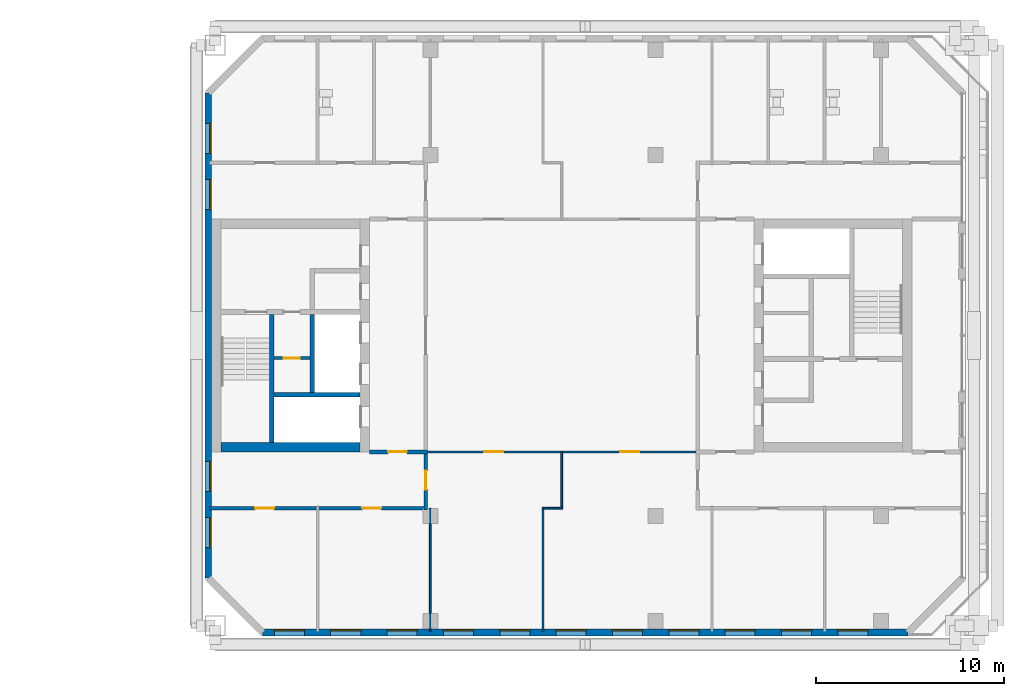
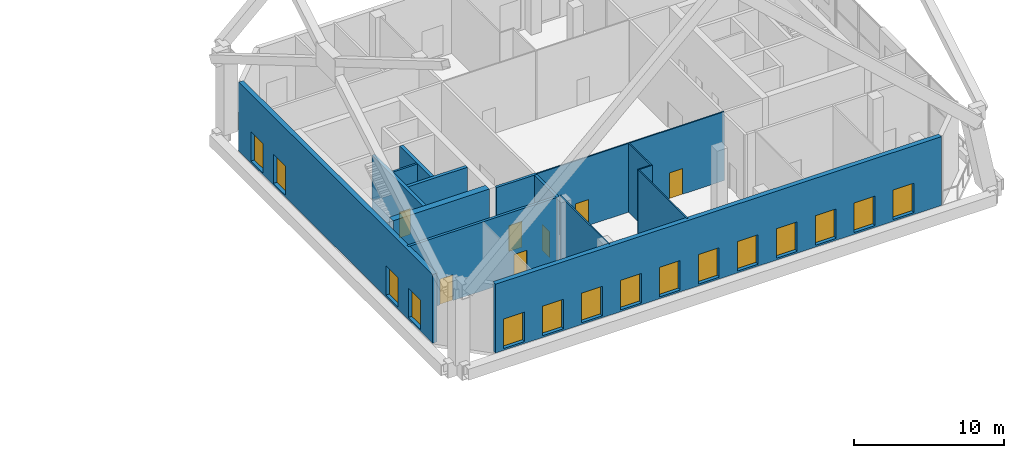
# One storey, part 13 of 20: 15 walls, 15 windows, 7 doors, 22 openings.
"""IFC4 building model written with IfcOpenShell, lengths in metres."""

from ifc_helpers import new_model, si_unit, direction, frame, frame_2d, origin, place, context, subcontext, project, spatial, rectangle, extrude, material, layer, layer_set, type_object, element, fill, save


model = new_model("IFC4")

# Units and contexts
model_context = context("Model", 3, precision=1e-05, world=origin(), true_north=direction((0.0, 1.0)))
body_context = subcontext(model_context, "Body", "Model", "MODEL_VIEW")
ifc_project = project(units=[si_unit("LENGTHUNIT", "METRE"), si_unit("AREAUNIT", "SQUARE_METRE"), si_unit("VOLUMEUNIT", "CUBIC_METRE"), si_unit("PLANEANGLEUNIT", "RADIAN"), si_unit("MASSUNIT", "GRAM", prefix="KILO")], contexts=[model_context])

# Site, building, storey
site_placement = place(None, origin())
site = spatial("IfcSite", under=ifc_project, at=site_placement, CompositionType="ELEMENT")
building_placement = place(site_placement, origin())
building = spatial("IfcBuilding", under=site, at=building_placement, Name="Tuart Gate Housing", CompositionType="ELEMENT")
storey_placement = place(building_placement, frame((0.0, 0.0, 142.300048828125)))
storey = spatial("IfcBuildingStorey", under=building, at=storey_placement, Name="L40", CompositionType="ELEMENT", Elevation=142.300048828125)

# Wall, openings, windows
ifc_material_1 = material(Name="Brick", Category="masonry")
ifc_layer_1 = layer(ifc_material_1, 0.360107421875)
ifc_layer_set_1 = layer_set([ifc_layer_1], Name="Brick pier and spandrel wall 360")
wall_type_1 = type_object("IfcWallType", Name="Brick pier and spandrel wall 360", PredefinedType="STANDARD", material=ifc_layer_set_1)
wall_1_placement = place(storey_placement, frame((134.07470703125, 54.179931640625, 0.0), z_axis=(0.0, 0.0, 1.0), x_axis=(1.0, 0.0, 0.0)))
wall_1 = element("IfcWall", 1, at=wall_1_placement, inside=storey, type_object=wall_type_1, Name="External wall B-S L40", PredefinedType="STANDARD", context=body_context, shape_type="SweptSolid", body=[
    extrude(rectangle(XDim=34.350830078125, YDim=0.360107421875, at=frame_2d((17.17529296875, 0.0))), origin(), (0.0, 0.0, 1.0), 5.599853515625),
])
opening_1_placement = place(wall_1_placement, frame((0.62548828125, 0.0, 0.14990234375)))
opening_1 = element("IfcOpeningElement", 2, at=opening_1_placement, cuts=wall_1, Name="Opening W2", PredefinedType="OPENING", context=body_context, shape_type="SweptSolid", body=[
    extrude(rectangle(XDim=1.60009765625, YDim=2.39990234375, at=frame_2d((0.800048828125, 1.199951171875))), frame((0.0, 0.18994140625, 0.0), z_axis=(0.0, -1.0, 0.0), x_axis=(1.0, 0.0, 0.0)), (0.0, 0.0, 1.0), 0.380126953125),
])
opening_2_placement = place(wall_1_placement, frame((3.62548828125, 0.0, 0.14990234375)))
opening_2 = element("IfcOpeningElement", 3, at=opening_2_placement, cuts=wall_1, Name="Opening W2", PredefinedType="OPENING", context=body_context, shape_type="SweptSolid", body=[
    extrude(rectangle(XDim=1.60009765625, YDim=2.39990234375, at=frame_2d((0.800048828125, 1.199951171875))), frame((0.0, 0.18994140625, 0.0), z_axis=(0.0, -1.0, 0.0), x_axis=(1.0, 0.0, 0.0)), (0.0, 0.0, 1.0), 0.380126953125),
])
opening_3_placement = place(wall_1_placement, frame((6.62548828125, 0.0, 0.14990234375)))
opening_3 = element("IfcOpeningElement", 4, at=opening_3_placement, cuts=wall_1, Name="Opening W2", PredefinedType="OPENING", context=body_context, shape_type="SweptSolid", body=[
    extrude(rectangle(XDim=1.60009765625, YDim=2.39990234375, at=frame_2d((0.800048828125, 1.199951171875))), frame((0.0, 0.18994140625, 0.0), z_axis=(0.0, -1.0, 0.0), x_axis=(1.0, 0.0, 0.0)), (0.0, 0.0, 1.0), 0.380126953125),
])
opening_4_placement = place(wall_1_placement, frame((9.62548828125, 0.0, 0.14990234375)))
opening_4 = element("IfcOpeningElement", 5, at=opening_4_placement, cuts=wall_1, Name="Opening W2", PredefinedType="OPENING", context=body_context, shape_type="SweptSolid", body=[
    extrude(rectangle(XDim=1.60009765625, YDim=2.39990234375, at=frame_2d((0.800048828125, 1.199951171875))), frame((0.0, 0.18994140625, 0.0), z_axis=(0.0, -1.0, 0.0), x_axis=(1.0, 0.0, 0.0)), (0.0, 0.0, 1.0), 0.380126953125),
])
opening_5_placement = place(wall_1_placement, frame((12.62548828125, 0.0, 0.14990234375)))
opening_5 = element("IfcOpeningElement", 6, at=opening_5_placement, cuts=wall_1, Name="Opening W2", PredefinedType="OPENING", context=body_context, shape_type="SweptSolid", body=[
    extrude(rectangle(XDim=1.60009765625, YDim=2.39990234375, at=frame_2d((0.800048828125, 1.199951171875))), frame((0.0, 0.18994140625, 0.0), z_axis=(0.0, -1.0, 0.0), x_axis=(1.0, 0.0, 0.0)), (0.0, 0.0, 1.0), 0.380126953125),
])
opening_6_placement = place(wall_1_placement, frame((15.62548828125, 0.0, 0.14990234375)))
opening_6 = element("IfcOpeningElement", 7, at=opening_6_placement, cuts=wall_1, Name="Opening W2", PredefinedType="OPENING", context=body_context, shape_type="SweptSolid", body=[
    extrude(rectangle(XDim=1.60009765625, YDim=2.39990234375, at=frame_2d((0.800048828125, 1.199951171875))), frame((0.0, 0.18994140625, 0.0), z_axis=(0.0, -1.0, 0.0), x_axis=(1.0, 0.0, 0.0)), (0.0, 0.0, 1.0), 0.380126953125),
])
opening_7_placement = place(wall_1_placement, frame((18.62548828125, 0.0, 0.14990234375)))
opening_7 = element("IfcOpeningElement", 8, at=opening_7_placement, cuts=wall_1, Name="Opening W2", PredefinedType="OPENING", context=body_context, shape_type="SweptSolid", body=[
    extrude(rectangle(XDim=1.60009765625, YDim=2.39990234375, at=frame_2d((0.800048828125, 1.199951171875))), frame((0.0, 0.18994140625, 0.0), z_axis=(0.0, -1.0, 0.0), x_axis=(1.0, 0.0, 0.0)), (0.0, 0.0, 1.0), 0.380126953125),
])
opening_8_placement = place(wall_1_placement, frame((21.62548828125, 0.0, 0.14990234375)))
opening_8 = element("IfcOpeningElement", 9, at=opening_8_placement, cuts=wall_1, Name="Opening W2", PredefinedType="OPENING", context=body_context, shape_type="SweptSolid", body=[
    extrude(rectangle(XDim=1.60009765625, YDim=2.39990234375, at=frame_2d((0.800048828125, 1.199951171875))), frame((0.0, 0.18994140625, 0.0), z_axis=(0.0, -1.0, 0.0), x_axis=(1.0, 0.0, 0.0)), (0.0, 0.0, 1.0), 0.380126953125),
])
opening_9_placement = place(wall_1_placement, frame((24.62548828125, 0.0, 0.14990234375)))
opening_9 = element("IfcOpeningElement", 10, at=opening_9_placement, cuts=wall_1, Name="Opening W2", PredefinedType="OPENING", context=body_context, shape_type="SweptSolid", body=[
    extrude(rectangle(XDim=1.60009765625, YDim=2.39990234375, at=frame_2d((0.800048828125, 1.199951171875))), frame((0.0, 0.18994140625, 0.0), z_axis=(0.0, -1.0, 0.0), x_axis=(1.0, 0.0, 0.0)), (0.0, 0.0, 1.0), 0.380126953125),
])
opening_10_placement = place(wall_1_placement, frame((27.62548828125, 0.0, 0.14990234375)))
opening_10 = element("IfcOpeningElement", 11, at=opening_10_placement, cuts=wall_1, Name="Opening W2", PredefinedType="OPENING", context=body_context, shape_type="SweptSolid", body=[
    extrude(rectangle(XDim=1.60009765625, YDim=2.39990234375, at=frame_2d((0.800048828125, 1.199951171875))), frame((0.0, 0.18994140625, 0.0), z_axis=(0.0, -1.0, 0.0), x_axis=(1.0, 0.0, 0.0)), (0.0, 0.0, 1.0), 0.380126953125),
])
opening_11_placement = place(wall_1_placement, frame((30.62548828125, 0.0, 0.14990234375)))
opening_11 = element("IfcOpeningElement", 12, at=opening_11_placement, cuts=wall_1, Name="Opening W2", PredefinedType="OPENING", context=body_context, shape_type="SweptSolid", body=[
    extrude(rectangle(XDim=1.60009765625, YDim=2.39990234375, at=frame_2d((0.800048828125, 1.199951171875))), frame((0.0, 0.18994140625, 0.0), z_axis=(0.0, -1.0, 0.0), x_axis=(1.0, 0.0, 0.0)), (0.0, 0.0, 1.0), 0.380126953125),
])
ifc_material_2 = material(Name="Aluminium frame with clear glass", Category="aluminium")
window_type = type_object("IfcWindowType", Name="Garden lounge window 1600 x 2400", PartitioningType="SINGLE_PANEL", PredefinedType="WINDOW", material=ifc_material_2)
window_1_placement = place(opening_1_placement, origin())
window_1 = element("IfcWindow", 13, at=window_1_placement, inside=storey, type_object=window_type, Name="Window W2", OverallHeight=2.39990234375, OverallWidth=1.60009765625, PartitioningType="SINGLE_PANEL", PredefinedType="WINDOW", context=body_context, shape_type="SweptSolid", body=[
    extrude(rectangle(XDim=1.60009765625, YDim=2.39990234375, at=frame_2d((0.800048828125, 1.199951171875))), frame((0.0, 0.150146484375, 0.0), z_axis=(0.0, -1.0, 0.0), x_axis=(1.0, 0.0, 0.0)), (0.0, 0.0, 1.0), 0.06005859375),
])
fill(opening_1, window_1)
window_2_placement = place(opening_2_placement, origin())
window_2 = element("IfcWindow", 14, at=window_2_placement, inside=storey, type_object=window_type, Name="Window W2", OverallHeight=2.39990234375, OverallWidth=1.60009765625, PartitioningType="SINGLE_PANEL", PredefinedType="WINDOW", context=body_context, shape_type="SweptSolid", body=[
    extrude(rectangle(XDim=1.60009765625, YDim=2.39990234375, at=frame_2d((0.800048828125, 1.199951171875))), frame((0.0, 0.150146484375, 0.0), z_axis=(0.0, -1.0, 0.0), x_axis=(1.0, 0.0, 0.0)), (0.0, 0.0, 1.0), 0.06005859375),
])
fill(opening_2, window_2)
window_3_placement = place(opening_3_placement, origin())
window_3 = element("IfcWindow", 15, at=window_3_placement, inside=storey, type_object=window_type, Name="Window W2", OverallHeight=2.39990234375, OverallWidth=1.60009765625, PartitioningType="SINGLE_PANEL", PredefinedType="WINDOW", context=body_context, shape_type="SweptSolid", body=[
    extrude(rectangle(XDim=1.60009765625, YDim=2.39990234375, at=frame_2d((0.800048828125, 1.199951171875))), frame((0.0, 0.150146484375, 0.0), z_axis=(0.0, -1.0, 0.0), x_axis=(1.0, 0.0, 0.0)), (0.0, 0.0, 1.0), 0.06005859375),
])
fill(opening_3, window_3)
window_4_placement = place(opening_4_placement, origin())
window_4 = element("IfcWindow", 16, at=window_4_placement, inside=storey, type_object=window_type, Name="Window W2", OverallHeight=2.39990234375, OverallWidth=1.60009765625, PartitioningType="SINGLE_PANEL", PredefinedType="WINDOW", context=body_context, shape_type="SweptSolid", body=[
    extrude(rectangle(XDim=1.60009765625, YDim=2.39990234375, at=frame_2d((0.800048828125, 1.199951171875))), frame((0.0, 0.150146484375, 0.0), z_axis=(0.0, -1.0, 0.0), x_axis=(1.0, 0.0, 0.0)), (0.0, 0.0, 1.0), 0.06005859375),
])
fill(opening_4, window_4)
window_5_placement = place(opening_5_placement, origin())
window_5 = element("IfcWindow", 17, at=window_5_placement, inside=storey, type_object=window_type, Name="Window W2", OverallHeight=2.39990234375, OverallWidth=1.60009765625, PartitioningType="SINGLE_PANEL", PredefinedType="WINDOW", context=body_context, shape_type="SweptSolid", body=[
    extrude(rectangle(XDim=1.60009765625, YDim=2.39990234375, at=frame_2d((0.800048828125, 1.199951171875))), frame((0.0, 0.150146484375, 0.0), z_axis=(0.0, -1.0, 0.0), x_axis=(1.0, 0.0, 0.0)), (0.0, 0.0, 1.0), 0.06005859375),
])
fill(opening_5, window_5)
window_6_placement = place(opening_6_placement, origin())
window_6 = element("IfcWindow", 18, at=window_6_placement, inside=storey, type_object=window_type, Name="Window W2", OverallHeight=2.39990234375, OverallWidth=1.60009765625, PartitioningType="SINGLE_PANEL", PredefinedType="WINDOW", context=body_context, shape_type="SweptSolid", body=[
    extrude(rectangle(XDim=1.60009765625, YDim=2.39990234375, at=frame_2d((0.800048828125, 1.199951171875))), frame((0.0, 0.150146484375, 0.0), z_axis=(0.0, -1.0, 0.0), x_axis=(1.0, 0.0, 0.0)), (0.0, 0.0, 1.0), 0.06005859375),
])
fill(opening_6, window_6)
window_7_placement = place(opening_7_placement, origin())
window_7 = element("IfcWindow", 19, at=window_7_placement, inside=storey, type_object=window_type, Name="Window W2", OverallHeight=2.39990234375, OverallWidth=1.60009765625, PartitioningType="SINGLE_PANEL", PredefinedType="WINDOW", context=body_context, shape_type="SweptSolid", body=[
    extrude(rectangle(XDim=1.60009765625, YDim=2.39990234375, at=frame_2d((0.800048828125, 1.199951171875))), frame((0.0, 0.150146484375, 0.0), z_axis=(0.0, -1.0, 0.0), x_axis=(1.0, 0.0, 0.0)), (0.0, 0.0, 1.0), 0.06005859375),
])
fill(opening_7, window_7)
window_8_placement = place(opening_8_placement, origin())
window_8 = element("IfcWindow", 20, at=window_8_placement, inside=storey, type_object=window_type, Name="Window W2", OverallHeight=2.39990234375, OverallWidth=1.60009765625, PartitioningType="SINGLE_PANEL", PredefinedType="WINDOW", context=body_context, shape_type="SweptSolid", body=[
    extrude(rectangle(XDim=1.60009765625, YDim=2.39990234375, at=frame_2d((0.800048828125, 1.199951171875))), frame((0.0, 0.150146484375, 0.0), z_axis=(0.0, -1.0, 0.0), x_axis=(1.0, 0.0, 0.0)), (0.0, 0.0, 1.0), 0.06005859375),
])
fill(opening_8, window_8)
window_9_placement = place(opening_9_placement, origin())
window_9 = element("IfcWindow", 21, at=window_9_placement, inside=storey, type_object=window_type, Name="Window W2", OverallHeight=2.39990234375, OverallWidth=1.60009765625, PartitioningType="SINGLE_PANEL", PredefinedType="WINDOW", context=body_context, shape_type="SweptSolid", body=[
    extrude(rectangle(XDim=1.60009765625, YDim=2.39990234375, at=frame_2d((0.800048828125, 1.199951171875))), frame((0.0, 0.150146484375, 0.0), z_axis=(0.0, -1.0, 0.0), x_axis=(1.0, 0.0, 0.0)), (0.0, 0.0, 1.0), 0.06005859375),
])
fill(opening_9, window_9)
window_10_placement = place(opening_10_placement, origin())
window_10 = element("IfcWindow", 22, at=window_10_placement, inside=storey, type_object=window_type, Name="Window W2", OverallHeight=2.39990234375, OverallWidth=1.60009765625, PartitioningType="SINGLE_PANEL", PredefinedType="WINDOW", context=body_context, shape_type="SweptSolid", body=[
    extrude(rectangle(XDim=1.60009765625, YDim=2.39990234375, at=frame_2d((0.800048828125, 1.199951171875))), frame((0.0, 0.150146484375, 0.0), z_axis=(0.0, -1.0, 0.0), x_axis=(1.0, 0.0, 0.0)), (0.0, 0.0, 1.0), 0.06005859375),
])
fill(opening_10, window_10)
window_11_placement = place(opening_11_placement, origin())
window_11 = element("IfcWindow", 23, at=window_11_placement, inside=storey, type_object=window_type, Name="Window W2", OverallHeight=2.39990234375, OverallWidth=1.60009765625, PartitioningType="SINGLE_PANEL", PredefinedType="WINDOW", context=body_context, shape_type="SweptSolid", body=[
    extrude(rectangle(XDim=1.60009765625, YDim=2.39990234375, at=frame_2d((0.800048828125, 1.199951171875))), frame((0.0, 0.150146484375, 0.0), z_axis=(0.0, -1.0, 0.0), x_axis=(1.0, 0.0, 0.0)), (0.0, 0.0, 1.0), 0.06005859375),
])
fill(opening_11, window_11)

wall_2_placement = place(storey_placement, frame((131.179931640625, 82.92529296875, 0.0), z_axis=(0.0, 0.0, 1.0), x_axis=(0.0, -1.0, 0.0)))
wall_2 = element("IfcWall", 24, at=wall_2_placement, inside=storey, type_object=wall_type_1, Name="External wall B-W L40", PredefinedType="STANDARD", context=body_context, shape_type="SweptSolid", body=[
    extrude(rectangle(XDim=25.850830078125, YDim=0.360107421875, at=frame_2d((12.92529296875, 0.0))), origin(), (0.0, 0.0, 1.0), 5.599853515625),
])
opening_12_placement = place(wall_2_placement, frame((1.62548828125, 0.0, 0.14990234375)))
opening_12 = element("IfcOpeningElement", 25, at=opening_12_placement, cuts=wall_2, Name="Opening W2", PredefinedType="OPENING", context=body_context, shape_type="SweptSolid", body=[
    extrude(rectangle(XDim=1.60009765625, YDim=2.39990234375, at=frame_2d((0.800048828125, 1.199951171875))), frame((0.0, 0.18994140625, 0.0), z_axis=(0.0, -1.0, 0.0), x_axis=(1.0, 0.0, 0.0)), (0.0, 0.0, 1.0), 0.380126953125),
])
opening_13_placement = place(wall_2_placement, frame((4.62548828125, 0.0, 0.14990234375)))
opening_13 = element("IfcOpeningElement", 26, at=opening_13_placement, cuts=wall_2, Name="Opening W2", PredefinedType="OPENING", context=body_context, shape_type="SweptSolid", body=[
    extrude(rectangle(XDim=1.60009765625, YDim=2.39990234375, at=frame_2d((0.800048828125, 1.199951171875))), frame((0.0, 0.18994140625, 0.0), z_axis=(0.0, -1.0, 0.0), x_axis=(1.0, 0.0, 0.0)), (0.0, 0.0, 1.0), 0.380126953125),
])
opening_14_placement = place(wall_2_placement, frame((19.62548828125, 0.0, 0.14990234375)))
opening_14 = element("IfcOpeningElement", 27, at=opening_14_placement, cuts=wall_2, Name="Opening W2", PredefinedType="OPENING", context=body_context, shape_type="SweptSolid", body=[
    extrude(rectangle(XDim=1.60009765625, YDim=2.39990234375, at=frame_2d((0.800048828125, 1.199951171875))), frame((0.0, 0.18994140625, 0.0), z_axis=(0.0, -1.0, 0.0), x_axis=(1.0, 0.0, 0.0)), (0.0, 0.0, 1.0), 0.380126953125),
])
opening_15_placement = place(wall_2_placement, frame((22.62548828125, 0.0, 0.14990234375)))
opening_15 = element("IfcOpeningElement", 28, at=opening_15_placement, cuts=wall_2, Name="Opening W2", PredefinedType="OPENING", context=body_context, shape_type="SweptSolid", body=[
    extrude(rectangle(XDim=1.60009765625, YDim=2.39990234375, at=frame_2d((0.800048828125, 1.199951171875))), frame((0.0, 0.18994140625, 0.0), z_axis=(0.0, -1.0, 0.0), x_axis=(1.0, 0.0, 0.0)), (0.0, 0.0, 1.0), 0.380126953125),
])
window_12_placement = place(opening_12_placement, origin())
window_12 = element("IfcWindow", 29, at=window_12_placement, inside=storey, type_object=window_type, Name="Window W2", OverallHeight=2.39990234375, OverallWidth=1.60009765625, PartitioningType="SINGLE_PANEL", PredefinedType="WINDOW", context=body_context, shape_type="SweptSolid", body=[
    extrude(rectangle(XDim=1.60009765625, YDim=2.39990234375, at=frame_2d((0.800048828125, 1.199951171875))), frame((0.0, 0.150146484375, 0.0), z_axis=(0.0, -1.0, 0.0), x_axis=(1.0, 0.0, 0.0)), (0.0, 0.0, 1.0), 0.06005859375),
])
fill(opening_12, window_12)
window_13_placement = place(opening_13_placement, origin())
window_13 = element("IfcWindow", 30, at=window_13_placement, inside=storey, type_object=window_type, Name="Window W2", OverallHeight=2.39990234375, OverallWidth=1.60009765625, PartitioningType="SINGLE_PANEL", PredefinedType="WINDOW", context=body_context, shape_type="SweptSolid", body=[
    extrude(rectangle(XDim=1.60009765625, YDim=2.39990234375, at=frame_2d((0.800048828125, 1.199951171875))), frame((0.0, 0.150146484375, 0.0), z_axis=(0.0, -1.0, 0.0), x_axis=(1.0, 0.0, 0.0)), (0.0, 0.0, 1.0), 0.06005859375),
])
fill(opening_13, window_13)
window_14_placement = place(opening_14_placement, origin())
window_14 = element("IfcWindow", 31, at=window_14_placement, inside=storey, type_object=window_type, Name="Window W2", OverallHeight=2.39990234375, OverallWidth=1.60009765625, PartitioningType="SINGLE_PANEL", PredefinedType="WINDOW", context=body_context, shape_type="SweptSolid", body=[
    extrude(rectangle(XDim=1.60009765625, YDim=2.39990234375, at=frame_2d((0.800048828125, 1.199951171875))), frame((0.0, 0.150146484375, 0.0), z_axis=(0.0, -1.0, 0.0), x_axis=(1.0, 0.0, 0.0)), (0.0, 0.0, 1.0), 0.06005859375),
])
fill(opening_14, window_14)
window_15_placement = place(opening_15_placement, origin())
window_15 = element("IfcWindow", 32, at=window_15_placement, inside=storey, type_object=window_type, Name="Window W2", OverallHeight=2.39990234375, OverallWidth=1.60009765625, PartitioningType="SINGLE_PANEL", PredefinedType="WINDOW", context=body_context, shape_type="SweptSolid", body=[
    extrude(rectangle(XDim=1.60009765625, YDim=2.39990234375, at=frame_2d((0.800048828125, 1.199951171875))), frame((0.0, 0.150146484375, 0.0), z_axis=(0.0, -1.0, 0.0), x_axis=(1.0, 0.0, 0.0)), (0.0, 0.0, 1.0), 0.06005859375),
])
fill(opening_15, window_15)

# Wall, opening, door
ifc_material_3 = material(Name="Plasterboard partition")
ifc_layer_2 = layer(ifc_material_3, 0.14990234375)
ifc_layer_set_2 = layer_set([ifc_layer_2], Name="Core partition 150")
wall_type_2 = type_object("IfcWallType", Name="Core partition 150", PredefinedType="PARTITIONING", material=ifc_layer_set_2)
wall_3_placement = place(storey_placement, frame((136.5849609375, 68.800048828125, 0.0), z_axis=(0.0, 0.0, 1.0), x_axis=(-1.0, 0.0, 0.0)))
wall_3 = element("IfcWall", 33, at=wall_3_placement, inside=storey, type_object=wall_type_2, Name="Core partition BG.2", PredefinedType="PARTITIONING", context=body_context, shape_type="SweptSolid", body=[
    extrude(rectangle(XDim=1.89990234375, YDim=0.14990234375, at=frame_2d((0.949951171875, 0.0))), origin(), (0.0, 0.0, 1.0), 5.599853515625),
])
opening_16_placement = place(wall_3_placement, frame((0.52490234375, 0.0, 0.0)))
opening_16 = element("IfcOpeningElement", 34, at=opening_16_placement, cuts=wall_3, Name="Opening D2987", PredefinedType="OPENING", context=body_context, shape_type="SweptSolid", body=[
    extrude(rectangle(XDim=0.85009765625, YDim=2.10009765625, at=frame_2d((0.425048828125, 1.050048828125))), frame((0.0, 0.0849609375, 0.0), z_axis=(0.0, -1.0, 0.0), x_axis=(1.0, 0.0, 0.0)), (0.0, 0.0, 1.0), 0.169921875),
])
ifc_material_4 = material(Name="Steel fire door", Category="steel")
door_type_1 = type_object("IfcDoorType", Name="Service door 850 x 2100 RH", OperationType="SINGLE_SWING_RIGHT", PredefinedType="DOOR", material=ifc_material_4)
door_1_placement = place(opening_16_placement, frame((0.85009765625, 0.0, 0.0), z_axis=(0.0, 0.0, 1.0), x_axis=(-1.0, 0.0, 0.0)))
door_1 = element("IfcDoor", 35, at=door_1_placement, inside=storey, type_object=door_type_1, Name="Service room door BG.W2", OperationType="SINGLE_SWING_RIGHT", OverallHeight=2.10009765625, OverallWidth=0.85009765625, PredefinedType="DOOR", context=body_context, shape_type="SweptSolid", body=[
    extrude(rectangle(XDim=0.85009765625, YDim=2.10009765625, at=frame_2d((0.425048828125, 1.050048828125))), frame((0.0, 0.025146484375, 0.0), z_axis=(0.0, -1.0, 0.0), x_axis=(1.0, 0.0, 0.0)), (0.0, 0.0, 1.0), 0.050048828125),
])
fill(opening_16, door_1)

# Walls
ifc_material_5 = material(Name="Concrete C40", Category="concrete")
ifc_layer_3 = layer(ifc_material_5, 0.25)
ifc_layer_set_3 = layer_set([ifc_layer_3], Name="Core wall 250 C40")
wall_type_3 = type_object("IfcWallType", Name="Core wall 250 C40", PredefinedType="SHEAR", material=ifc_layer_set_3)
wall_4_placement = place(storey_placement, frame((139.260009765625, 66.85009765625, 0.0), z_axis=(0.0, 0.0, 1.0), x_axis=(-1.0, 0.0, 0.0)))
element("IfcWall", 36, at=wall_4_placement, inside=storey, type_object=wall_type_3, Name="Core wall BG.1", PredefinedType="SHEAR", context=body_context, shape_type="SweptSolid", body=[
    extrude(rectangle(XDim=4.574951171875, YDim=0.25, at=frame_2d((2.28759765625, 0.0))), origin(), (0.0, 0.0, 1.0), 5.599853515625),
])
wall_5_placement = place(storey_placement, frame((136.7099609375, 66.97509765625, 0.0), z_axis=(0.0, 0.0, 1.0), x_axis=(0.0, 1.0, 0.0)))
element("IfcWall", 37, at=wall_5_placement, inside=storey, type_object=wall_type_3, Name="Core wall BG.5", PredefinedType="SHEAR", context=body_context, shape_type="SweptSolid", body=[
    extrude(rectangle(XDim=4.14990234375, YDim=0.25, at=frame_2d((2.074951171875, 0.0))), origin(), (0.0, 0.0, 1.0), 5.599853515625),
])
wall_6_placement = place(storey_placement, frame((134.56005859375, 64.300048828125, 0.0), z_axis=(0.0, 0.0, 1.0), x_axis=(0.0, 1.0, 0.0)))
element("IfcWall", 38, at=wall_6_placement, inside=storey, type_object=wall_type_3, Name="Core wall BG.7", PredefinedType="SHEAR", context=body_context, shape_type="SweptSolid", body=[
    extrude(rectangle(XDim=6.824951171875, YDim=0.25, at=frame_2d((3.41259765625, 0.0))), origin(), (0.0, 0.0, 1.0), 5.599853515625),
])
ifc_material_6 = material(Name="Concrete C40", Category="concrete")
ifc_layer_4 = layer(ifc_material_6, 0.5)
ifc_layer_set_4 = layer_set([ifc_layer_4], Name="Core wall 500 C40")
wall_type_4 = type_object("IfcWallType", Name="Core wall 500 C40", PredefinedType="SHEAR", material=ifc_layer_set_4)
wall_7_placement = place(storey_placement, frame((139.260009765625, 64.050048828125, 0.0), z_axis=(0.0, 0.0, 1.0), x_axis=(-1.0, 0.0, 0.0)))
element("IfcWall", 39, at=wall_7_placement, inside=storey, type_object=wall_type_4, Name="Core wall BG south", PredefinedType="SHEAR", context=body_context, shape_type="SweptSolid", body=[
    extrude(rectangle(XDim=7.39990234375, YDim=0.5, at=frame_2d((3.699951171875, 0.0))), origin(), (0.0, 0.0, 1.0), 5.599853515625),
])

# Wall, openings, doors
ifc_material_7 = material(Name="Concrete masonry 15 MPa", Category="masonry")
ifc_layer_5 = layer(ifc_material_7, 0.199951171875)
ifc_layer_set_5 = layer_set([ifc_layer_5], Name="Corridor wall masonry 200")
wall_type_5 = type_object("IfcWallType", Name="Corridor wall masonry 200", PredefinedType="PARTITIONING", material=ifc_layer_set_5)
wall_8_placement = place(storey_placement, frame((131.239990234375, 60.800048828125, 0.0), z_axis=(0.0, 0.0, 1.0), x_axis=(1.0, 0.0, 0.0)))
wall_8 = element("IfcWall", 40, at=wall_8_placement, inside=storey, type_object=wall_type_5, Name="Corridor wall masonry 200", PredefinedType="PARTITIONING", context=body_context, shape_type="SweptSolid", body=[
    extrude(rectangle(XDim=11.6220703125, YDim=0.199951171875, at=frame_2d((5.81103515625, 0.0))), origin(), (0.0, 0.0, 1.0), 5.599853515625),
])
opening_17_placement = place(wall_8_placement, frame((2.43994140625, 0.0, 0.0)))
opening_17 = element("IfcOpeningElement", 41, at=opening_17_placement, cuts=wall_8, Name="Opening D2998", PredefinedType="OPENING", context=body_context, shape_type="SweptSolid", body=[
    extrude(rectangle(XDim=1.0, YDim=2.10009765625, at=frame_2d((0.5, 1.050048828125))), frame((0.0, 0.10986328125, 0.0), z_axis=(0.0, -1.0, 0.0), x_axis=(1.0, 0.0, 0.0)), (0.0, 0.0, 1.0), 0.219970703125),
])
opening_18_placement = place(wall_8_placement, frame((8.14111328125, 0.0, 0.0)))
opening_18 = element("IfcOpeningElement", 42, at=opening_18_placement, cuts=wall_8, Name="Opening D2999", PredefinedType="OPENING", context=body_context, shape_type="SweptSolid", body=[
    extrude(rectangle(XDim=1.0, YDim=2.10009765625, at=frame_2d((0.5, 1.050048828125))), frame((0.0, 0.10986328125, 0.0), z_axis=(0.0, -1.0, 0.0), x_axis=(1.0, 0.0, 0.0)), (0.0, 0.0, 1.0), 0.219970703125),
])
ifc_material_8 = material(Name="Timber door leaf in steel frame", Category="steel")
door_type_2 = type_object("IfcDoorType", Name="Fire door 1000 RH", OperationType="SINGLE_SWING_RIGHT", PredefinedType="DOOR", material=ifc_material_8)
door_2_placement = place(opening_17_placement, frame((1.0, 0.0, 0.0), z_axis=(0.0, 0.0, 1.0), x_axis=(-1.0, 0.0, 0.0)))
door_2 = element("IfcDoor", 43, at=door_2_placement, inside=storey, type_object=door_type_2, Name="Fire door 1000", OperationType="SINGLE_SWING_RIGHT", OverallHeight=2.10009765625, OverallWidth=1.0, PredefinedType="DOOR", context=body_context, shape_type="SweptSolid", body=[
    extrude(rectangle(XDim=1.0, YDim=2.10009765625, at=frame_2d((0.5, 1.050048828125))), frame((0.0, 0.025146484375, 0.0), z_axis=(0.0, -1.0, 0.0), x_axis=(1.0, 0.0, 0.0)), (0.0, 0.0, 1.0), 0.050048828125),
])
fill(opening_17, door_2)
door_3_placement = place(opening_18_placement, frame((1.0, 0.0, 0.0), z_axis=(0.0, 0.0, 1.0), x_axis=(-1.0, 0.0, 0.0)))
door_3 = element("IfcDoor", 44, at=door_3_placement, inside=storey, type_object=door_type_2, Name="Fire door 1000", OperationType="SINGLE_SWING_RIGHT", OverallHeight=2.10009765625, OverallWidth=1.0, PredefinedType="DOOR", context=body_context, shape_type="SweptSolid", body=[
    extrude(rectangle(XDim=1.0, YDim=2.10009765625, at=frame_2d((0.5, 1.050048828125))), frame((0.0, 0.025146484375, 0.0), z_axis=(0.0, -1.0, 0.0), x_axis=(1.0, 0.0, 0.0)), (0.0, 0.0, 1.0), 0.050048828125),
])
fill(opening_18, door_3)

# Wall, opening, door
wall_9_placement = place(storey_placement, frame((142.760009765625, 60.699951171875, 0.0), z_axis=(0.0, 0.0, 1.0), x_axis=(0.0, 1.0, 0.0)))
wall_9 = element("IfcWall", 45, at=wall_9_placement, inside=storey, type_object=wall_type_5, Name="Corridor wall masonry 200", PredefinedType="PARTITIONING", context=body_context, shape_type="SweptSolid", body=[
    extrude(rectangle(XDim=3.199951171875, YDim=0.199951171875, at=frame_2d((1.60009765625, 0.0))), origin(), (0.0, 0.0, 1.0), 5.599853515625),
])
opening_19_placement = place(wall_9_placement, frame((1.10009765625, 0.0, 0.0)))
opening_19 = element("IfcOpeningElement", 46, at=opening_19_placement, cuts=wall_9, Name="Opening D2996", PredefinedType="OPENING", context=body_context, shape_type="SweptSolid", body=[
    extrude(rectangle(XDim=1.0, YDim=2.10009765625, at=frame_2d((0.5, 1.050048828125))), frame((0.0, 0.10986328125, 0.0), z_axis=(0.0, -1.0, 0.0), x_axis=(1.0, 0.0, 0.0)), (0.0, 0.0, 1.0), 0.219970703125),
])
ifc_material_9 = material(Name="Timber door leaf in steel frame", Category="steel")
door_type_3 = type_object("IfcDoorType", Name="Fire door 1000", OperationType="SINGLE_SWING_LEFT", PredefinedType="DOOR", material=ifc_material_9)
door_4_placement = place(opening_19_placement, frame((1.0, 0.0, 0.0), z_axis=(0.0, 0.0, 1.0), x_axis=(-1.0, 0.0, 0.0)))
door_4 = element("IfcDoor", 47, at=door_4_placement, inside=storey, type_object=door_type_3, Name="Fire door 1000", OperationType="SINGLE_SWING_LEFT", OverallHeight=2.10009765625, OverallWidth=1.0, PredefinedType="DOOR", context=body_context, shape_type="SweptSolid", body=[
    extrude(rectangle(XDim=1.0, YDim=2.10009765625, at=frame_2d((0.5, 1.050048828125))), frame((0.0, 0.025146484375, 0.0), z_axis=(0.0, -1.0, 0.0), x_axis=(1.0, 0.0, 0.0)), (0.0, 0.0, 1.0), 0.050048828125),
])
fill(opening_19, door_4)

ifc_material_10 = material(Name="Concrete masonry 15 MPa", Category="masonry")
ifc_layer_6 = layer(ifc_material_10, 0.199951171875)
ifc_layer_set_6 = layer_set([ifc_layer_6], Name="Enclosure wall masonry 200")
wall_type_6 = type_object("IfcWallType", Name="Enclosure wall masonry 200", PredefinedType="PARTITIONING", material=ifc_layer_set_6)
wall_10_placement = place(storey_placement, frame((139.760009765625, 63.800048828125, 0.0), z_axis=(0.0, 0.0, 1.0), x_axis=(1.0, 0.0, 0.0)))
wall_10 = element("IfcWall", 48, at=wall_10_placement, inside=storey, type_object=wall_type_6, Name="Enclosure wall masonry 200", PredefinedType="PARTITIONING", context=body_context, shape_type="SweptSolid", body=[
    extrude(rectangle(XDim=3.10009765625, YDim=0.199951171875, at=frame_2d((1.550048828125, 0.0))), origin(), (0.0, 0.0, 1.0), 5.599853515625),
])
opening_20_placement = place(wall_10_placement, frame((1.0, 0.0, 0.0)))
opening_20 = element("IfcOpeningElement", 49, at=opening_20_placement, cuts=wall_10, Name="Opening D2991", PredefinedType="OPENING", context=body_context, shape_type="SweptSolid", body=[
    extrude(rectangle(XDim=1.0, YDim=2.10009765625, at=frame_2d((0.5, 1.050048828125))), frame((0.0, 0.10986328125, 0.0), z_axis=(0.0, -1.0, 0.0), x_axis=(1.0, 0.0, 0.0)), (0.0, 0.0, 1.0), 0.219970703125),
])
ifc_material_11 = material(Name="Timber door leaf in steel frame", Category="steel")
door_type_4 = type_object("IfcDoorType", Name="Lobby door 1000", OperationType="SINGLE_SWING_LEFT", PredefinedType="DOOR", material=ifc_material_11)
door_5_placement = place(opening_20_placement, frame((1.0, 0.0, 0.0), z_axis=(0.0, 0.0, 1.0), x_axis=(-1.0, 0.0, 0.0)))
door_5 = element("IfcDoor", 50, at=door_5_placement, inside=storey, type_object=door_type_4, Name="Lobby door 1000", OperationType="SINGLE_SWING_LEFT", OverallHeight=2.10009765625, OverallWidth=1.0, PredefinedType="DOOR", context=body_context, shape_type="SweptSolid", body=[
    extrude(rectangle(XDim=1.0, YDim=2.10009765625, at=frame_2d((0.5, 1.050048828125))), frame((0.0, 0.025146484375, 0.0), z_axis=(0.0, -1.0, 0.0), x_axis=(1.0, 0.0, 0.0)), (0.0, 0.0, 1.0), 0.050048828125),
])
fill(opening_20, door_5)

# Wall
ifc_material_12 = material(Name="Gypsum board on steel studs", Category="steel")
ifc_layer_7 = layer(ifc_material_12, 0.10009765625)
ifc_layer_set_7 = layer_set([ifc_layer_7], Name="Partition 100")
wall_type_7 = type_object("IfcWallType", Name="Partition 100", PredefinedType="PARTITIONING", material=ifc_layer_set_7)
wall_11_placement = place(storey_placement, frame((148.949951171875, 60.800048828125, 0.0), z_axis=(0.0, 0.0, 1.0), x_axis=(1.0, 0.0, 0.0)))
element("IfcWall", 51, at=wall_11_placement, inside=storey, type_object=wall_type_7, Name="Partition 100", PredefinedType="PARTITIONING", context=body_context, shape_type="SweptSolid", body=[
    extrude(rectangle(XDim=1.10009765625, YDim=0.10009765625, at=frame_2d((0.550048828125, 0.0))), origin(), (0.0, 0.0, 1.0), 5.599853515625),
])

# Wall, openings, doors
wall_12_placement = place(storey_placement, frame((142.659912109375, 63.800048828125, 0.0), z_axis=(0.0, 0.0, 1.0), x_axis=(1.0, 0.0, 0.0)))
wall_12 = element("IfcWall", 52, at=wall_12_placement, inside=storey, type_object=wall_type_7, Name="Partition 100", PredefinedType="PARTITIONING", context=body_context, shape_type="SweptSolid", body=[
    extrude(rectangle(XDim=14.68017578125, YDim=0.10009765625, at=frame_2d((7.340087890625, 0.0))), origin(), (0.0, 0.0, 1.0), 5.599853515625),
])
opening_21_placement = place(wall_12_placement, frame((3.219970703125, 0.0, 0.0)))
opening_21 = element("IfcOpeningElement", 53, at=opening_21_placement, cuts=wall_12, Name="Opening D2992", PredefinedType="OPENING", context=body_context, shape_type="SweptSolid", body=[
    extrude(rectangle(XDim=1.0, YDim=2.10009765625, at=frame_2d((0.5, 1.050048828125))), frame((0.0, 0.06005859375, 0.0), z_axis=(0.0, -1.0, 0.0), x_axis=(1.0, 0.0, 0.0)), (0.0, 0.0, 1.0), 0.1201171875),
])
opening_22_placement = place(wall_12_placement, frame((10.4599609375, 0.0, 0.0)))
opening_22 = element("IfcOpeningElement", 54, at=opening_22_placement, cuts=wall_12, Name="Opening D2993", PredefinedType="OPENING", context=body_context, shape_type="SweptSolid", body=[
    extrude(rectangle(XDim=1.0, YDim=2.10009765625, at=frame_2d((0.5, 1.050048828125))), frame((0.0, 0.06005859375, 0.0), z_axis=(0.0, -1.0, 0.0), x_axis=(1.0, 0.0, 0.0)), (0.0, 0.0, 1.0), 0.1201171875),
])
ifc_material_13 = material(Name="Timber door leaf in steel frame", Category="steel")
door_type_5 = type_object("IfcDoorType", Name="Internal door 1000 RH", OperationType="SINGLE_SWING_RIGHT", PredefinedType="DOOR", material=ifc_material_13)
door_6_placement = place(opening_21_placement, frame((1.0, 0.0, 0.0), z_axis=(0.0, 0.0, 1.0), x_axis=(-1.0, 0.0, 0.0)))
door_6 = element("IfcDoor", 55, at=door_6_placement, inside=storey, type_object=door_type_5, Name="Internal door 1000", OperationType="SINGLE_SWING_RIGHT", OverallHeight=2.10009765625, OverallWidth=1.0, PredefinedType="DOOR", context=body_context, shape_type="SweptSolid", body=[
    extrude(rectangle(XDim=1.0, YDim=2.10009765625, at=frame_2d((0.5, 1.050048828125))), frame((0.0, 0.025146484375, 0.0), z_axis=(0.0, -1.0, 0.0), x_axis=(1.0, 0.0, 0.0)), (0.0, 0.0, 1.0), 0.050048828125),
])
fill(opening_21, door_6)
door_7_placement = place(opening_22_placement, origin())
door_7 = element("IfcDoor", 56, at=door_7_placement, inside=storey, type_object=door_type_5, Name="Internal door 1000", OperationType="SINGLE_SWING_RIGHT", OverallHeight=2.10009765625, OverallWidth=1.0, PredefinedType="DOOR", context=body_context, shape_type="SweptSolid", body=[
    extrude(rectangle(XDim=1.0, YDim=2.10009765625, at=frame_2d((0.5, 1.050048828125))), frame((0.0, 0.02490234375, 0.0), z_axis=(0.0, -1.0, 0.0), x_axis=(1.0, 0.0, 0.0)), (0.0, 0.0, 1.0), 0.050048828125),
])
fill(opening_22, door_7)

# Walls
wall_13_placement = place(storey_placement, frame((143.0, 54.239990234375, 0.0), z_axis=(0.0, 0.0, 1.0), x_axis=(0.0, 1.0, 0.0)))
element("IfcWall", 57, at=wall_13_placement, inside=storey, type_object=wall_type_7, Name="Partition 100", PredefinedType="PARTITIONING", context=body_context, shape_type="SweptSolid", body=[
    extrude(rectangle(XDim=6.56005859375, YDim=0.10009765625, at=frame_2d((3.280029296875, 0.0))), origin(), (0.0, 0.0, 1.0), 5.599853515625),
])
wall_14_placement = place(storey_placement, frame((149.0, 54.239990234375, 0.0), z_axis=(0.0, 0.0, 1.0), x_axis=(0.0, 1.0, 0.0)))
element("IfcWall", 58, at=wall_14_placement, inside=storey, type_object=wall_type_7, Name="Partition 100", PredefinedType="PARTITIONING", context=body_context, shape_type="SweptSolid", body=[
    extrude(rectangle(XDim=6.610107421875, YDim=0.10009765625, at=frame_2d((3.30517578125, 0.0))), origin(), (0.0, 0.0, 1.0), 5.599853515625),
])
wall_15_placement = place(storey_placement, frame((150.0, 60.75, 0.0), z_axis=(0.0, 0.0, 1.0), x_axis=(0.0, 1.0, 0.0)))
element("IfcWall", 59, at=wall_15_placement, inside=storey, type_object=wall_type_7, Name="Partition 100", PredefinedType="PARTITIONING", context=body_context, shape_type="SweptSolid", body=[
    extrude(rectangle(XDim=3.10009765625, YDim=0.10009765625, at=frame_2d((1.550048828125, 0.0))), origin(), (0.0, 0.0, 1.0), 5.599853515625),
])

save(model, "model.ifc")
